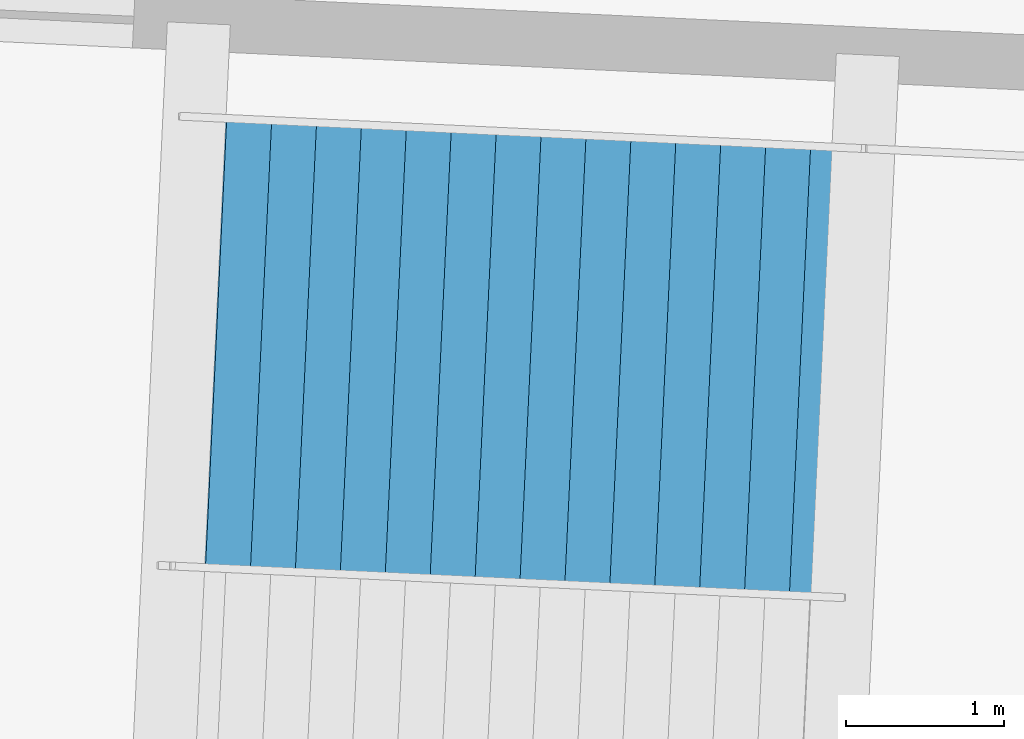
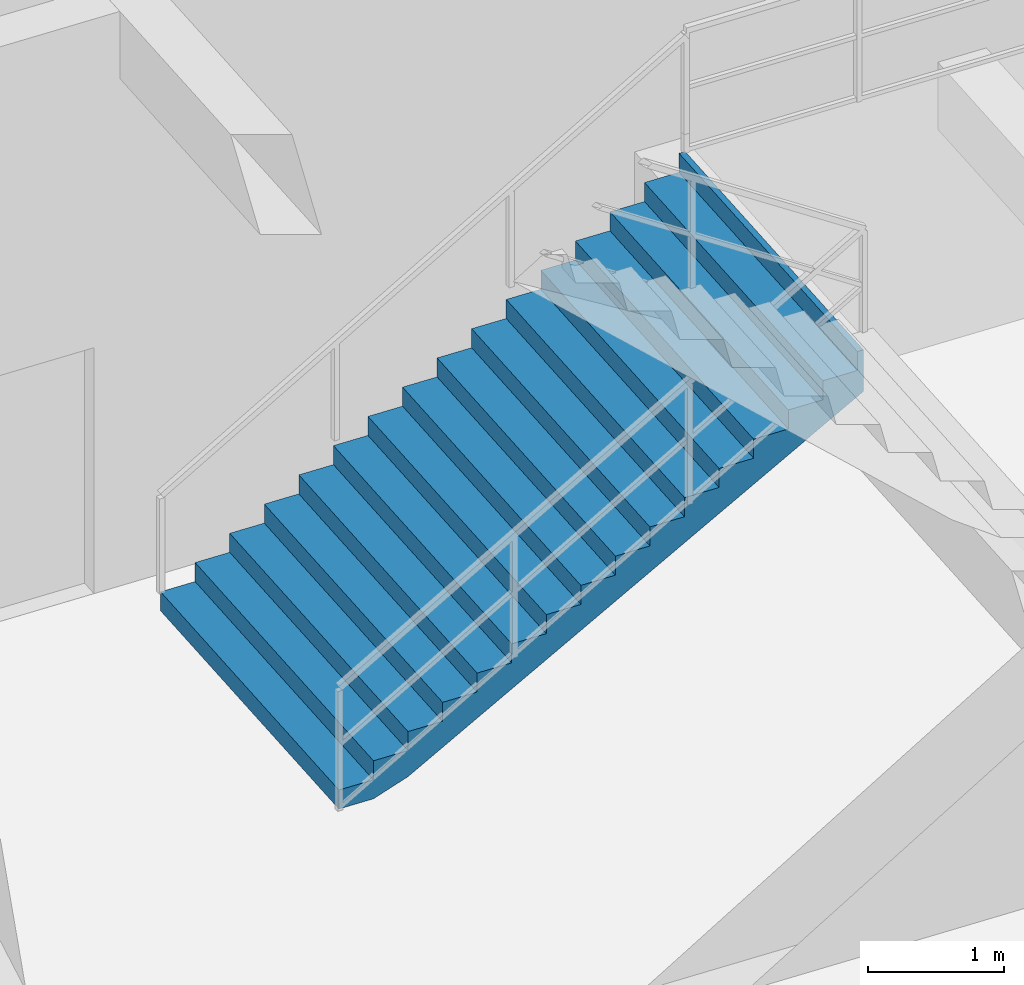
# One storey, part 24 of 49: 1 stair flight, 1 element without a shape of its own.
"""IFC4 building model written with IfcOpenShell, lengths in metres."""

from ifc_helpers import new_model, si_unit, direction, frame, origin, place, context, subcontext, project, spatial, polygons, material, type_object, element, aggregate, save


model = new_model("IFC4")

# Units and contexts
model_context = context("Model", 3, precision=1e-05, world=origin(), true_north=direction((0.0, 1.0)))
body_context = subcontext(model_context, "Body", "Model", "MODEL_VIEW")
ifc_project = project(units=[si_unit("LENGTHUNIT", "METRE"), si_unit("AREAUNIT", "SQUARE_METRE"), si_unit("VOLUMEUNIT", "CUBIC_METRE"), si_unit("PLANEANGLEUNIT", "RADIAN"), si_unit("MASSUNIT", "GRAM", prefix="KILO")], contexts=[model_context])

# Site, building, storey
site_placement = place(None, origin())
site = spatial("IfcSite", under=ifc_project, at=site_placement, CompositionType="ELEMENT")
building_placement = place(site_placement, origin())
building = spatial("IfcBuilding", under=site, at=building_placement, Name="Kazemori Nagisa Stadium", CompositionType="ELEMENT")
storey_placement = place(building_placement, frame((0.0, 0.0, -5.43994140625)))
storey = spatial("IfcBuildingStorey", under=building, at=storey_placement, Name="B1", CompositionType="ELEMENT", Elevation=-5.43994140625)

# Stair, stair flight
ifc_material = material(Name="Concrete C36/45 (Fc36)", Category="concrete")
stair_type = type_object("IfcStairType", Name="Stair_CORE_32", PredefinedType="TWO_STRAIGHT_RUN_STAIR", material=ifc_material)
stair_placement = place(storey_placement, origin())
stair = element("IfcStair", 1, at=stair_placement, inside=storey, type_object=stair_type, Name="Exit stair ST12 B1", PredefinedType="TWO_STRAIGHT_RUN_STAIR")
stair_flight_type = type_object("IfcStairFlightType", Name="Flight_CORE_16", PredefinedType="STRAIGHT", material=ifc_material)
stair_flight_placement = place(storey_placement, frame((107.177490234375, 24.015380859375, 0.0), z_axis=(0.0, 0.0, 1.0), x_axis=(0.998881406673, -0.047285678619, 0.0)))
stair_flight = element("IfcStairFlight", 2, at=stair_flight_placement, type_object=stair_flight_type, Name="Exit stair ST12 B1 flight 1", NumberOfRisers=16, NumberOfTreads=15, PredefinedType="STRAIGHT", RiserHeight=0.17, TreadLength=0.285, context=body_context, shape_type="Tessellation", body=[
    polygons([(0.0, -1.425048828125, 0.0), (0.0, -1.425048828125, 0.169921875), (0.284912109375, -1.425048828125, 0.169921875), (0.284912109375, -1.425048828125, 0.340087890625), (0.570068359375, -1.425048828125, 0.340087890625), (0.570068359375, -1.425048828125, 0.510009765625), (0.85498046875, -1.425048828125, 0.510009765625), (0.85498046875, -1.425048828125, 0.679931640625), (1.139892578125, -1.425048828125, 0.679931640625), (1.139892578125, -1.425048828125, 0.85009765625), (1.425048828125, -1.425048828125, 0.85009765625), (1.425048828125, -1.425048828125, 1.02001953125), (1.7099609375, -1.425048828125, 1.02001953125), (1.7099609375, -1.425048828125, 1.18994140625), (1.9951171875, -1.425048828125, 1.18994140625), (1.9951171875, -1.425048828125, 1.360107421875), (2.280029296875, -1.425048828125, 1.360107421875), (2.280029296875, -1.425048828125, 1.530029296875), (2.56494140625, -1.425048828125, 1.530029296875), (2.56494140625, -1.425048828125, 1.699951171875), (2.85009765625, -1.425048828125, 1.699951171875), (2.85009765625, -1.425048828125, 1.8701171875), (3.135009765625, -1.425048828125, 1.8701171875), (3.135009765625, -1.425048828125, 2.0400390625), (3.419921875, -1.425048828125, 2.0400390625), (3.419921875, -1.425048828125, 2.2099609375), (3.705078125, -1.425048828125, 2.2099609375), (3.705078125, -1.425048828125, 2.3798828125), (3.989990234375, -1.425048828125, 2.3798828125), (3.989990234375, -1.425048828125, 2.550048828125), (4.27490234375, -1.425048828125, 2.550048828125), (4.27490234375, -1.425048828125, 2.719970703125), (4.324951171875, -1.425048828125, 2.719970703125), (4.324951171875, -1.425048828125, 2.346923828125), (4.27490234375, -1.425048828125, 2.317138671875), (3.989990234375, -1.425048828125, 2.147216796875), (3.705078125, -1.425048828125, 1.977294921875), (3.419921875, -1.425048828125, 1.80712890625), (3.135009765625, -1.425048828125, 1.63720703125), (2.85009765625, -1.425048828125, 1.46728515625), (2.56494140625, -1.425048828125, 1.297119140625), (2.280029296875, -1.425048828125, 1.127197265625), (1.9951171875, -1.425048828125, 0.957275390625), (1.7099609375, -1.425048828125, 0.787109375), (1.425048828125, -1.425048828125, 0.6171875), (1.139892578125, -1.425048828125, 0.447265625), (0.85498046875, -1.425048828125, 0.277099609375), (0.570068359375, -1.425048828125, 0.107177734375), (0.284912109375, -1.425048828125, 0.0), (0.0, -0.08544921875, 0.0), (0.0, -0.08544921875, 0.169921875), (0.284912109375, -0.08544921875, 0.169921875), (0.284912109375, -0.08544921875, 0.340087890625), (0.570068359375, -0.08544921875, 0.340087890625), (0.570068359375, -0.08544921875, 0.510009765625), (0.85498046875, -0.08544921875, 0.510009765625), (0.85498046875, -0.08544921875, 0.679931640625), (1.139892578125, -0.08544921875, 0.679931640625), (1.139892578125, -0.08544921875, 0.85009765625), (1.425048828125, -0.08544921875, 0.85009765625), (1.425048828125, -0.08544921875, 1.02001953125), (1.7099609375, -0.08544921875, 1.02001953125), (1.7099609375, -0.08544921875, 1.18994140625), (1.9951171875, -0.08544921875, 1.18994140625), (1.9951171875, -0.08544921875, 1.360107421875), (2.280029296875, -0.08544921875, 1.360107421875), (2.280029296875, -0.08544921875, 1.530029296875), (2.56494140625, -0.08544921875, 1.530029296875), (2.56494140625, -0.08544921875, 1.699951171875), (2.85009765625, -0.08544921875, 1.699951171875), (2.85009765625, -0.08544921875, 1.8701171875), (3.135009765625, -0.08544921875, 1.8701171875), (3.135009765625, -0.08544921875, 2.0400390625), (3.419921875, -0.08544921875, 2.0400390625), (3.419921875, -0.08544921875, 2.2099609375), (3.705078125, -0.08544921875, 2.2099609375), (3.705078125, -0.08544921875, 2.3798828125), (3.989990234375, -0.08544921875, 2.3798828125), (3.989990234375, -0.08544921875, 2.550048828125), (4.27490234375, -0.08544921875, 2.550048828125), (4.27490234375, -0.08544921875, 2.719970703125), (4.324951171875, -0.08544921875, 2.719970703125), (4.324951171875, -0.08544921875, 2.346923828125), (4.27490234375, -0.08544921875, 2.317138671875), (3.989990234375, -0.08544921875, 2.147216796875), (3.705078125, -0.08544921875, 1.977294921875), (3.419921875, -0.08544921875, 1.80712890625), (3.135009765625, -0.08544921875, 1.63720703125), (2.85009765625, -0.08544921875, 1.46728515625), (2.56494140625, -0.08544921875, 1.297119140625), (2.280029296875, -0.08544921875, 1.127197265625), (1.9951171875, -0.08544921875, 0.957275390625), (1.7099609375, -0.08544921875, 0.787109375), (1.425048828125, -0.08544921875, 0.6171875), (1.139892578125, -0.08544921875, 0.447265625), (0.85498046875, -0.08544921875, 0.277099609375), (0.570068359375, -0.08544921875, 0.107177734375), (0.284912109375, -0.08544921875, 0.0), (0.0, 0.0, 0.0), (0.0, 0.0, 0.169921875), (0.284912109375, 0.0, 0.169921875), (0.284912109375, 0.0, 0.340087890625), (0.570068359375, 0.0, 0.340087890625), (0.570068359375, 0.0, 0.510009765625), (0.85498046875, 0.0, 0.510009765625), (0.85498046875, 0.0, 0.679931640625), (1.139892578125, 0.0, 0.679931640625), (1.139892578125, 0.0, 0.85009765625), (1.425048828125, 0.0, 0.85009765625), (1.425048828125, 0.0, 1.02001953125), (1.7099609375, 0.0, 1.02001953125), (1.7099609375, 0.0, 1.18994140625), (1.9951171875, 0.0, 1.18994140625), (1.9951171875, 0.0, 1.360107421875), (2.280029296875, 0.0, 1.360107421875), (2.280029296875, 0.0, 1.530029296875), (2.56494140625, 0.0, 1.530029296875), (2.56494140625, 0.0, 1.699951171875), (2.85009765625, 0.0, 1.699951171875), (2.85009765625, 0.0, 1.8701171875), (3.135009765625, 0.0, 1.8701171875), (3.135009765625, 0.0, 2.0400390625), (3.419921875, 0.0, 2.0400390625), (3.419921875, 0.0, 2.2099609375), (3.705078125, 0.0, 2.2099609375), (3.705078125, 0.0, 2.3798828125), (3.989990234375, 0.0, 2.3798828125), (3.989990234375, 0.0, 2.550048828125), (4.27490234375, 0.0, 2.550048828125), (4.27490234375, 0.0, 2.719970703125), (4.324951171875, 0.0, 2.719970703125), (4.324951171875, 0.0, 2.346923828125), (4.27490234375, 0.0, 2.317138671875), (3.989990234375, 0.0, 2.147216796875), (3.705078125, 0.0, 1.977294921875), (3.419921875, 0.0, 1.80712890625), (3.135009765625, 0.0, 1.63720703125), (2.85009765625, 0.0, 1.46728515625), (2.56494140625, 0.0, 1.297119140625), (2.280029296875, 0.0, 1.127197265625), (1.9951171875, 0.0, 0.957275390625), (1.7099609375, 0.0, 0.787109375), (1.425048828125, 0.0, 0.6171875), (1.139892578125, 0.0, 0.447265625), (0.85498046875, 0.0, 0.277099609375), (0.570068359375, 0.0, 0.107177734375), (0.284912109375, 0.0, 0.0), (0.0, 0.08544921875, 0.0), (0.0, 0.08544921875, 0.169921875), (0.284912109375, 0.08544921875, 0.169921875), (0.284912109375, 0.08544921875, 0.340087890625), (0.570068359375, 0.08544921875, 0.340087890625), (0.570068359375, 0.08544921875, 0.510009765625), (0.85498046875, 0.08544921875, 0.510009765625), (0.85498046875, 0.08544921875, 0.679931640625), (1.139892578125, 0.08544921875, 0.679931640625), (1.139892578125, 0.08544921875, 0.85009765625), (1.425048828125, 0.08544921875, 0.85009765625), (1.425048828125, 0.08544921875, 1.02001953125), (1.7099609375, 0.08544921875, 1.02001953125), (1.7099609375, 0.08544921875, 1.18994140625), (1.9951171875, 0.08544921875, 1.18994140625), (1.9951171875, 0.08544921875, 1.360107421875), (2.280029296875, 0.08544921875, 1.360107421875), (2.280029296875, 0.08544921875, 1.530029296875), (2.56494140625, 0.08544921875, 1.530029296875), (2.56494140625, 0.08544921875, 1.699951171875), (2.85009765625, 0.08544921875, 1.699951171875), (2.85009765625, 0.08544921875, 1.8701171875), (3.135009765625, 0.08544921875, 1.8701171875), (3.135009765625, 0.08544921875, 2.0400390625), (3.419921875, 0.08544921875, 2.0400390625), (3.419921875, 0.08544921875, 2.2099609375), (3.705078125, 0.08544921875, 2.2099609375), (3.705078125, 0.08544921875, 2.3798828125), (3.989990234375, 0.08544921875, 2.3798828125), (3.989990234375, 0.08544921875, 2.550048828125), (4.27490234375, 0.08544921875, 2.550048828125), (4.27490234375, 0.08544921875, 2.719970703125), (4.324951171875, 0.08544921875, 2.719970703125), (4.324951171875, 0.08544921875, 2.346923828125), (4.27490234375, 0.08544921875, 2.317138671875), (3.989990234375, 0.08544921875, 2.147216796875), (3.705078125, 0.08544921875, 1.977294921875), (3.419921875, 0.08544921875, 1.80712890625), (3.135009765625, 0.08544921875, 1.63720703125), (2.85009765625, 0.08544921875, 1.46728515625), (2.56494140625, 0.08544921875, 1.297119140625), (2.280029296875, 0.08544921875, 1.127197265625), (1.9951171875, 0.08544921875, 0.957275390625), (1.7099609375, 0.08544921875, 0.787109375), (1.425048828125, 0.08544921875, 0.6171875), (1.139892578125, 0.08544921875, 0.447265625), (0.85498046875, 0.08544921875, 0.277099609375), (0.570068359375, 0.08544921875, 0.107177734375), (0.284912109375, 0.08544921875, 0.0), (0.0, 1.425048828125, 0.0), (0.0, 1.425048828125, 0.169921875), (0.284912109375, 1.425048828125, 0.169921875), (0.284912109375, 1.425048828125, 0.340087890625), (0.570068359375, 1.425048828125, 0.340087890625), (0.570068359375, 1.425048828125, 0.510009765625), (0.85498046875, 1.425048828125, 0.510009765625), (0.85498046875, 1.425048828125, 0.679931640625), (1.139892578125, 1.425048828125, 0.679931640625), (1.139892578125, 1.425048828125, 0.85009765625), (1.425048828125, 1.425048828125, 0.85009765625), (1.425048828125, 1.425048828125, 1.02001953125), (1.7099609375, 1.425048828125, 1.02001953125), (1.7099609375, 1.425048828125, 1.18994140625), (1.9951171875, 1.425048828125, 1.18994140625), (1.9951171875, 1.425048828125, 1.360107421875), (2.280029296875, 1.425048828125, 1.360107421875), (2.280029296875, 1.425048828125, 1.530029296875), (2.56494140625, 1.425048828125, 1.530029296875), (2.56494140625, 1.425048828125, 1.699951171875), (2.85009765625, 1.425048828125, 1.699951171875), (2.85009765625, 1.425048828125, 1.8701171875), (3.135009765625, 1.425048828125, 1.8701171875), (3.135009765625, 1.425048828125, 2.0400390625), (3.419921875, 1.425048828125, 2.0400390625), (3.419921875, 1.425048828125, 2.2099609375), (3.705078125, 1.425048828125, 2.2099609375), (3.705078125, 1.425048828125, 2.3798828125), (3.989990234375, 1.425048828125, 2.3798828125), (3.989990234375, 1.425048828125, 2.550048828125), (4.27490234375, 1.425048828125, 2.550048828125), (4.27490234375, 1.425048828125, 2.719970703125), (4.324951171875, 1.425048828125, 2.719970703125), (4.324951171875, 1.425048828125, 2.346923828125), (4.27490234375, 1.425048828125, 2.317138671875), (3.989990234375, 1.425048828125, 2.147216796875), (3.705078125, 1.425048828125, 1.977294921875), (3.419921875, 1.425048828125, 1.80712890625), (3.135009765625, 1.425048828125, 1.63720703125), (2.85009765625, 1.425048828125, 1.46728515625), (2.56494140625, 1.425048828125, 1.297119140625), (2.280029296875, 1.425048828125, 1.127197265625), (1.9951171875, 1.425048828125, 0.957275390625), (1.7099609375, 1.425048828125, 0.787109375), (1.425048828125, 1.425048828125, 0.6171875), (1.139892578125, 1.425048828125, 0.447265625), (0.85498046875, 1.425048828125, 0.277099609375), (0.570068359375, 1.425048828125, 0.107177734375), (0.284912109375, 1.425048828125, 0.0)], [[[1, 2, 51]], [[1, 51, 50]], [[2, 3, 52]], [[2, 52, 51]], [[3, 4, 53]], [[3, 53, 52]], [[4, 5, 54]], [[4, 54, 53]], [[5, 6, 55]], [[5, 55, 54]], [[6, 7, 56]], [[6, 56, 55]], [[7, 8, 57]], [[7, 57, 56]], [[8, 9, 58]], [[8, 58, 57]], [[9, 10, 59]], [[9, 59, 58]], [[10, 11, 60]], [[10, 60, 59]], [[11, 12, 61]], [[11, 61, 60]], [[12, 13, 62]], [[12, 62, 61]], [[13, 14, 63]], [[13, 63, 62]], [[14, 15, 64]], [[14, 64, 63]], [[15, 16, 65]], [[15, 65, 64]], [[16, 17, 66]], [[16, 66, 65]], [[17, 18, 67]], [[17, 67, 66]], [[18, 19, 68]], [[18, 68, 67]], [[19, 20, 69]], [[19, 69, 68]], [[20, 21, 70]], [[20, 70, 69]], [[21, 22, 71]], [[21, 71, 70]], [[22, 23, 72]], [[22, 72, 71]], [[23, 24, 73]], [[23, 73, 72]], [[24, 25, 74]], [[24, 74, 73]], [[25, 26, 75]], [[25, 75, 74]], [[26, 27, 76]], [[26, 76, 75]], [[27, 28, 77]], [[27, 77, 76]], [[28, 29, 78]], [[28, 78, 77]], [[29, 30, 79]], [[29, 79, 78]], [[30, 31, 80]], [[30, 80, 79]], [[31, 32, 81]], [[31, 81, 80]], [[32, 33, 82]], [[32, 82, 81]], [[33, 34, 83]], [[33, 83, 82]], [[34, 35, 84]], [[34, 84, 83]], [[35, 36, 85]], [[35, 85, 84]], [[36, 37, 86]], [[36, 86, 85]], [[37, 38, 87]], [[37, 87, 86]], [[38, 39, 88]], [[38, 88, 87]], [[39, 40, 89]], [[39, 89, 88]], [[40, 41, 90]], [[40, 90, 89]], [[41, 42, 91]], [[41, 91, 90]], [[42, 43, 92]], [[42, 92, 91]], [[43, 44, 93]], [[43, 93, 92]], [[44, 45, 94]], [[44, 94, 93]], [[45, 46, 95]], [[45, 95, 94]], [[46, 47, 96]], [[46, 96, 95]], [[47, 48, 97]], [[47, 97, 96]], [[48, 49, 98]], [[48, 98, 97]], [[49, 1, 50]], [[49, 50, 98]], [[50, 51, 100]], [[50, 100, 99]], [[51, 52, 101]], [[51, 101, 100]], [[52, 53, 102]], [[52, 102, 101]], [[53, 54, 103]], [[53, 103, 102]], [[54, 55, 104]], [[54, 104, 103]], [[55, 56, 105]], [[55, 105, 104]], [[56, 57, 106]], [[56, 106, 105]], [[57, 58, 107]], [[57, 107, 106]], [[58, 59, 108]], [[58, 108, 107]], [[59, 60, 109]], [[59, 109, 108]], [[60, 61, 110]], [[60, 110, 109]], [[61, 62, 111]], [[61, 111, 110]], [[62, 63, 112]], [[62, 112, 111]], [[63, 64, 113]], [[63, 113, 112]], [[64, 65, 114]], [[64, 114, 113]], [[65, 66, 115]], [[65, 115, 114]], [[66, 67, 116]], [[66, 116, 115]], [[67, 68, 117]], [[67, 117, 116]], [[68, 69, 118]], [[68, 118, 117]], [[69, 70, 119]], [[69, 119, 118]], [[70, 71, 120]], [[70, 120, 119]], [[71, 72, 121]], [[71, 121, 120]], [[72, 73, 122]], [[72, 122, 121]], [[73, 74, 123]], [[73, 123, 122]], [[74, 75, 124]], [[74, 124, 123]], [[75, 76, 125]], [[75, 125, 124]], [[76, 77, 126]], [[76, 126, 125]], [[77, 78, 127]], [[77, 127, 126]], [[78, 79, 128]], [[78, 128, 127]], [[79, 80, 129]], [[79, 129, 128]], [[80, 81, 130]], [[80, 130, 129]], [[81, 82, 131]], [[81, 131, 130]], [[82, 83, 132]], [[82, 132, 131]], [[83, 84, 133]], [[83, 133, 132]], [[84, 85, 134]], [[84, 134, 133]], [[85, 86, 135]], [[85, 135, 134]], [[86, 87, 136]], [[86, 136, 135]], [[87, 88, 137]], [[87, 137, 136]], [[88, 89, 138]], [[88, 138, 137]], [[89, 90, 139]], [[89, 139, 138]], [[90, 91, 140]], [[90, 140, 139]], [[91, 92, 141]], [[91, 141, 140]], [[92, 93, 142]], [[92, 142, 141]], [[93, 94, 143]], [[93, 143, 142]], [[94, 95, 144]], [[94, 144, 143]], [[95, 96, 145]], [[95, 145, 144]], [[96, 97, 146]], [[96, 146, 145]], [[97, 98, 147]], [[97, 147, 146]], [[98, 50, 99]], [[98, 99, 147]], [[99, 100, 149]], [[99, 149, 148]], [[100, 101, 150]], [[100, 150, 149]], [[101, 102, 151]], [[101, 151, 150]], [[102, 103, 152]], [[102, 152, 151]], [[103, 104, 153]], [[103, 153, 152]], [[104, 105, 154]], [[104, 154, 153]], [[105, 106, 155]], [[105, 155, 154]], [[106, 107, 156]], [[106, 156, 155]], [[107, 108, 157]], [[107, 157, 156]], [[108, 109, 158]], [[108, 158, 157]], [[109, 110, 159]], [[109, 159, 158]], [[110, 111, 160]], [[110, 160, 159]], [[111, 112, 161]], [[111, 161, 160]], [[112, 113, 162]], [[112, 162, 161]], [[113, 114, 163]], [[113, 163, 162]], [[114, 115, 164]], [[114, 164, 163]], [[115, 116, 165]], [[115, 165, 164]], [[116, 117, 166]], [[116, 166, 165]], [[117, 118, 167]], [[117, 167, 166]], [[118, 119, 168]], [[118, 168, 167]], [[119, 120, 169]], [[119, 169, 168]], [[120, 121, 170]], [[120, 170, 169]], [[121, 122, 171]], [[121, 171, 170]], [[122, 123, 172]], [[122, 172, 171]], [[123, 124, 173]], [[123, 173, 172]], [[124, 125, 174]], [[124, 174, 173]], [[125, 126, 175]], [[125, 175, 174]], [[126, 127, 176]], [[126, 176, 175]], [[127, 128, 177]], [[127, 177, 176]], [[128, 129, 178]], [[128, 178, 177]], [[129, 130, 179]], [[129, 179, 178]], [[130, 131, 180]], [[130, 180, 179]], [[131, 132, 181]], [[131, 181, 180]], [[132, 133, 182]], [[132, 182, 181]], [[133, 134, 183]], [[133, 183, 182]], [[134, 135, 184]], [[134, 184, 183]], [[135, 136, 185]], [[135, 185, 184]], [[136, 137, 186]], [[136, 186, 185]], [[137, 138, 187]], [[137, 187, 186]], [[138, 139, 188]], [[138, 188, 187]], [[139, 140, 189]], [[139, 189, 188]], [[140, 141, 190]], [[140, 190, 189]], [[141, 142, 191]], [[141, 191, 190]], [[142, 143, 192]], [[142, 192, 191]], [[143, 144, 193]], [[143, 193, 192]], [[144, 145, 194]], [[144, 194, 193]], [[145, 146, 195]], [[145, 195, 194]], [[146, 147, 196]], [[146, 196, 195]], [[147, 99, 148]], [[147, 148, 196]], [[148, 149, 198]], [[148, 198, 197]], [[149, 150, 199]], [[149, 199, 198]], [[150, 151, 200]], [[150, 200, 199]], [[151, 152, 201]], [[151, 201, 200]], [[152, 153, 202]], [[152, 202, 201]], [[153, 154, 203]], [[153, 203, 202]], [[154, 155, 204]], [[154, 204, 203]], [[155, 156, 205]], [[155, 205, 204]], [[156, 157, 206]], [[156, 206, 205]], [[157, 158, 207]], [[157, 207, 206]], [[158, 159, 208]], [[158, 208, 207]], [[159, 160, 209]], [[159, 209, 208]], [[160, 161, 210]], [[160, 210, 209]], [[161, 162, 211]], [[161, 211, 210]], [[162, 163, 212]], [[162, 212, 211]], [[163, 164, 213]], [[163, 213, 212]], [[164, 165, 214]], [[164, 214, 213]], [[165, 166, 215]], [[165, 215, 214]], [[166, 167, 216]], [[166, 216, 215]], [[167, 168, 217]], [[167, 217, 216]], [[168, 169, 218]], [[168, 218, 217]], [[169, 170, 219]], [[169, 219, 218]], [[170, 171, 220]], [[170, 220, 219]], [[171, 172, 221]], [[171, 221, 220]], [[172, 173, 222]], [[172, 222, 221]], [[173, 174, 223]], [[173, 223, 222]], [[174, 175, 224]], [[174, 224, 223]], [[175, 176, 225]], [[175, 225, 224]], [[176, 177, 226]], [[176, 226, 225]], [[177, 178, 227]], [[177, 227, 226]], [[178, 179, 228]], [[178, 228, 227]], [[179, 180, 229]], [[179, 229, 228]], [[180, 181, 230]], [[180, 230, 229]], [[181, 182, 231]], [[181, 231, 230]], [[182, 183, 232]], [[182, 232, 231]], [[183, 184, 233]], [[183, 233, 232]], [[184, 185, 234]], [[184, 234, 233]], [[185, 186, 235]], [[185, 235, 234]], [[186, 187, 236]], [[186, 236, 235]], [[187, 188, 237]], [[187, 237, 236]], [[188, 189, 238]], [[188, 238, 237]], [[189, 190, 239]], [[189, 239, 238]], [[190, 191, 240]], [[190, 240, 239]], [[191, 192, 241]], [[191, 241, 240]], [[192, 193, 242]], [[192, 242, 241]], [[193, 194, 243]], [[193, 243, 242]], [[194, 195, 244]], [[194, 244, 243]], [[195, 196, 245]], [[195, 245, 244]], [[196, 148, 197]], [[196, 197, 245]], [[3, 2, 1]], [[197, 198, 199]], [[49, 3, 1]], [[197, 199, 245]], [[48, 3, 49]], [[245, 199, 244]], [[5, 3, 48]], [[244, 199, 201]], [[5, 4, 3]], [[199, 200, 201]], [[47, 5, 48]], [[244, 201, 243]], [[7, 5, 47]], [[243, 201, 203]], [[7, 6, 5]], [[201, 202, 203]], [[46, 7, 47]], [[243, 203, 242]], [[9, 7, 46]], [[242, 203, 205]], [[9, 8, 7]], [[203, 204, 205]], [[45, 9, 46]], [[242, 205, 241]], [[11, 9, 45]], [[241, 205, 207]], [[11, 10, 9]], [[205, 206, 207]], [[44, 11, 45]], [[241, 207, 240]], [[13, 11, 44]], [[240, 207, 209]], [[13, 12, 11]], [[207, 208, 209]], [[43, 13, 44]], [[240, 209, 239]], [[15, 13, 43]], [[239, 209, 211]], [[15, 14, 13]], [[209, 210, 211]], [[42, 15, 43]], [[239, 211, 238]], [[17, 15, 42]], [[238, 211, 213]], [[17, 16, 15]], [[211, 212, 213]], [[41, 17, 42]], [[238, 213, 237]], [[19, 17, 41]], [[237, 213, 215]], [[19, 18, 17]], [[213, 214, 215]], [[40, 19, 41]], [[237, 215, 236]], [[21, 19, 40]], [[236, 215, 217]], [[21, 20, 19]], [[215, 216, 217]], [[39, 21, 40]], [[236, 217, 235]], [[23, 21, 39]], [[235, 217, 219]], [[23, 22, 21]], [[217, 218, 219]], [[38, 23, 39]], [[235, 219, 234]], [[25, 23, 38]], [[234, 219, 221]], [[25, 24, 23]], [[219, 220, 221]], [[37, 25, 38]], [[234, 221, 233]], [[27, 25, 37]], [[233, 221, 223]], [[27, 26, 25]], [[221, 222, 223]], [[36, 27, 37]], [[233, 223, 232]], [[29, 27, 36]], [[232, 223, 225]], [[29, 28, 27]], [[223, 224, 225]], [[35, 29, 36]], [[232, 225, 231]], [[31, 29, 35]], [[231, 225, 227]], [[31, 30, 29]], [[225, 226, 227]], [[34, 31, 35]], [[231, 227, 230]], [[33, 31, 34]], [[230, 227, 229]], [[33, 32, 31]], [[227, 228, 229]]], closed=True),
])
aggregate(stair, [stair_flight])

save(model, "model.ifc")
